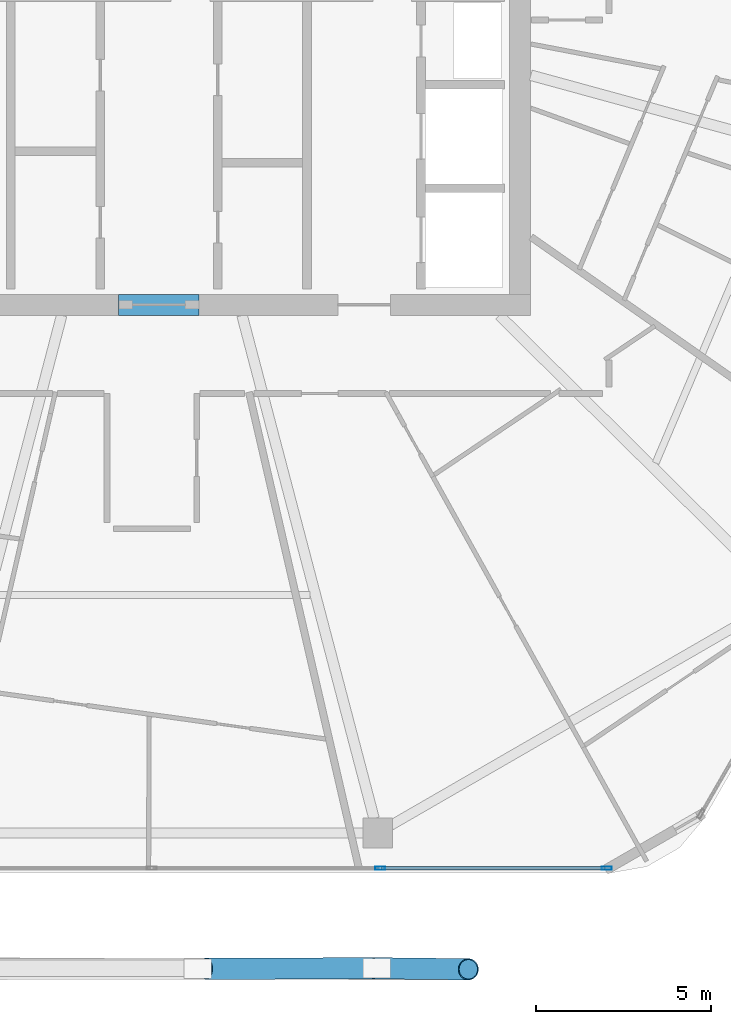
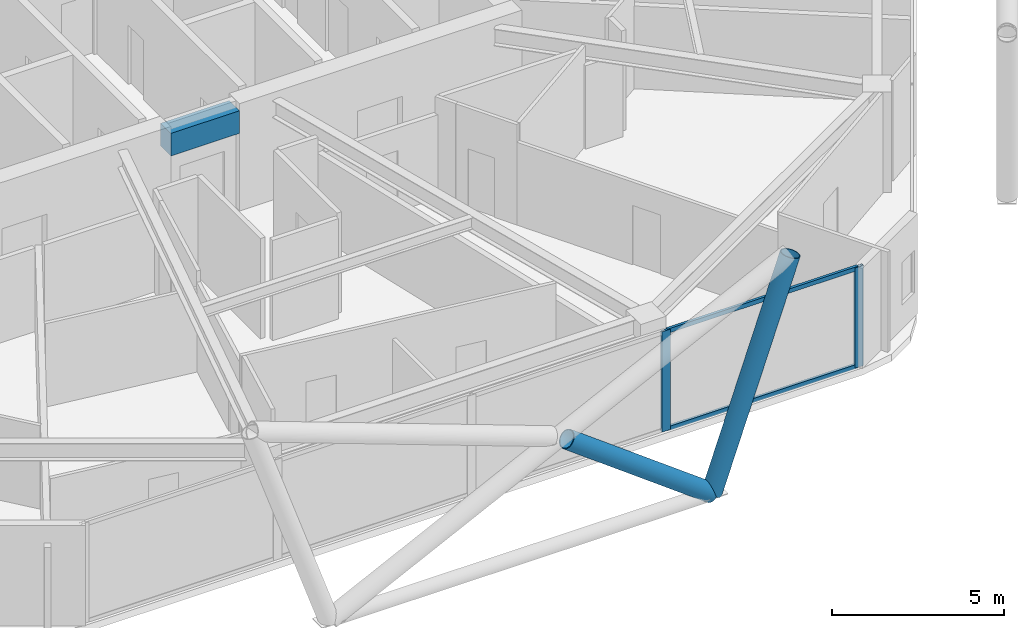
# One storey, part 7 of 28: 6 members, 1 beam, 1 element without a shape of its own.
"""IFC4 building model written with IfcOpenShell, lengths in metres."""

from ifc_helpers import new_model, si_unit, direction, frame, origin, origin_2d, place, context, subcontext, project, spatial, rectangle, hollow_rectangle, hollow_circle, extrude, material, material_profile, profile_set, type_object, element, aggregate, save


model = new_model("IFC4")

# Units and contexts
model_context = context("Model", 3, precision=1e-05, world=origin(), true_north=direction((0.0, 1.0)))
body_context = subcontext(model_context, "Body", "Model", "MODEL_VIEW")
ifc_project = project(units=[si_unit("LENGTHUNIT", "METRE"), si_unit("AREAUNIT", "SQUARE_METRE"), si_unit("VOLUMEUNIT", "CUBIC_METRE"), si_unit("PLANEANGLEUNIT", "RADIAN"), si_unit("MASSUNIT", "GRAM", prefix="KILO")], contexts=[model_context])

# Site, building, storey
site_placement = place(None, origin())
site = spatial("IfcSite", under=ifc_project, at=site_placement, CompositionType="ELEMENT")
building_placement = place(site_placement, origin())
building = spatial("IfcBuilding", under=site, at=building_placement, Name="Zuhravey Tower", CompositionType="ELEMENT")
storey_placement = place(building_placement, frame((0.0, 0.0, 284.39990234375)))
storey = spatial("IfcBuildingStorey", under=building, at=storey_placement, Name="L72", CompositionType="ELEMENT", Elevation=284.39990234375)

# Beam
ifc_material_1 = material(Name="Concrete C50/60", Category="concrete")
ifc_material_profile_1 = material_profile(ifc_material_1, rectangle(XDim=0.60009765625, YDim=0.800048828125, at=origin_2d()), Name="RC-600x800")
ifc_profile_set_1 = profile_set([ifc_material_profile_1], Name="Concrete C50/60")
beam_type = type_object("IfcBeamType", Name="Core Coupling Beam RC600x800", PredefinedType="LINTEL", material=ifc_profile_set_1)
beam_placement = place(storey_placement, frame((35.052001953125, 22.5, 3.150146484375), z_axis=(1.0, 0.0, 0.0), x_axis=(0.0, 1.0, 0.0)))
element("IfcBeam", 1, at=beam_placement, inside=storey, type_object=beam_type, Name="L72 CB2 BM-L72-CB-S", PredefinedType="LINTEL", context=body_context, shape_type="SweptSolid", body=[
    extrude(rectangle(XDim=0.60009765625, YDim=0.800048828125, at=origin_2d()), origin(), (0.0, 0.0, 1.0), 2.2958984375),
])

# Curtain wall, members
ifc_material_2 = material(Name="Thermally broken anodised aluminium", Category="aluminium")
curtain_wall_type = type_object("IfcCurtainWallType", Name="Zone 3-4 High-Rise Curtain Wall CW4", PredefinedType="NOTDEFINED", material=ifc_material_2)
curtain_wall_placement = place(storey_placement, origin())
curtain_wall = element("IfcCurtainWall", 2, at=curtain_wall_placement, inside=storey, type_object=curtain_wall_type, Name="L72 CW4 CW-L72-F5-1", PredefinedType="NOTDEFINED")
ifc_material_3 = material(Name="Anodised aluminium", Category="aluminium")
ifc_material_profile_2 = material_profile(ifc_material_3, hollow_rectangle(XDim=0.090087890625, YDim=0.284912109375, WallThickness=0.0048828125, at=origin_2d()), Name="ALU-RHS-90x285x5")
ifc_profile_set_2 = profile_set([ifc_material_profile_2], Name="Anodised aluminium")
member_type_1 = type_object("IfcMemberType", Name="Curtain-Wall Mullion 90x180", PredefinedType="MULLION", material=ifc_profile_set_2)
member_1_placement = place(storey_placement, frame((48.9677734375, 6.436279296875, 0.0), z_axis=(0.0, 0.0, 1.0), x_axis=(0.0, -1.0, 0.0)))
member_1 = element("IfcMember", 3, at=member_1_placement, type_object=member_type_1, Name="CW4 mullion 1", PredefinedType="MULLION", context=body_context, shape_type="SweptSolid", body=[
    extrude(hollow_rectangle(XDim=0.090087890625, YDim=0.284912109375, WallThickness=0.0048828125, at=origin_2d()), origin(), (0.0, 0.0, 1.0), 3.550048828125),
])
member_2_placement = place(storey_placement, frame((42.50634765625, 6.436279296875, 0.0), z_axis=(0.0, 0.0, 1.0), x_axis=(0.0, -1.0, 0.0)))
member_2 = element("IfcMember", 4, at=member_2_placement, type_object=member_type_1, Name="CW4 mullion 2", PredefinedType="MULLION", context=body_context, shape_type="SweptSolid", body=[
    extrude(hollow_rectangle(XDim=0.090087890625, YDim=0.284912109375, WallThickness=0.0048828125, at=origin_2d()), origin(), (0.0, 0.0, 1.0), 3.550048828125),
])
ifc_material_profile_3 = material_profile(ifc_material_3, hollow_rectangle(XDim=0.090087890625, YDim=0.14990234375, WallThickness=0.0048828125, at=origin_2d()), Name="ALU-RHS-90x150x5")
ifc_profile_set_3 = profile_set([ifc_material_profile_3], Name="Anodised aluminium")
member_type_2 = type_object("IfcMemberType", Name="Curtain-Wall Transom 90x150", PredefinedType="USERDEFINED", material=ifc_profile_set_3)
member_3_placement = place(storey_placement, frame((48.922607421875, 6.436279296875, 0.045166015625), z_axis=(-1.0, 0.0, 0.0), x_axis=(0.0, -1.0, 0.0)))
member_3 = element("IfcMember", 5, at=member_3_placement, type_object=member_type_2, Name="CW4 transom 1.1", ObjectType="TRANSOM", PredefinedType="USERDEFINED", context=body_context, shape_type="SweptSolid", body=[
    extrude(hollow_rectangle(XDim=0.090087890625, YDim=0.14990234375, WallThickness=0.0048828125, at=origin_2d()), origin(), (0.0, 0.0, 1.0), 6.371337890625),
])
member_4_placement = place(storey_placement, frame((48.922607421875, 6.436279296875, 3.505126953125), z_axis=(-1.0, 0.0, 0.0), x_axis=(0.0, -1.0, 0.0)))
member_4 = element("IfcMember", 6, at=member_4_placement, type_object=member_type_2, Name="CW4 transom 1.2", ObjectType="TRANSOM", PredefinedType="USERDEFINED", context=body_context, shape_type="SweptSolid", body=[
    extrude(hollow_rectangle(XDim=0.090087890625, YDim=0.14990234375, WallThickness=0.0048828125, at=origin_2d()), origin(), (0.0, 0.0, 1.0), 6.371337890625),
])
aggregate(curtain_wall, [member_1, member_2, member_3, member_4])

# Members
ifc_material_4 = material(Name="Steel SM355", Category="steel")
ifc_material_profile_4 = material_profile(ifc_material_4, hollow_circle(Radius=0.3046875, WallThickness=0.028076171875, at=origin_2d()), Name="CHS-609.6x28")
ifc_profile_set_4 = profile_set([ifc_material_profile_4], Name="Steel SM355")
member_type_3 = type_object("IfcMemberType", Name="Exoskeleton Zone 3 Diagrid CHS610x28", PredefinedType="BRACE", material=ifc_profile_set_4)
member_5_placement = place(storey_placement, frame((42.413818359375, 3.58642578125, -0.44580078125), z_axis=(0.326057972231, -0.003753053583, 0.945342326003), x_axis=(0.011509624999, 0.999933762072, 0.0)))
element("IfcMember", 7, at=member_5_placement, inside=storey, type_object=member_type_3, Name="L72 Face 5 Diagrid Brace 4", PredefinedType="BRACE", context=body_context, shape_type="SweptSolid", body=[
    extrude(hollow_circle(Radius=0.3046875, WallThickness=0.028076171875, at=origin_2d()), origin(), (0.0, 0.0, 1.0), 8.001220703125),
])
member_6_placement = place(storey_placement, frame((42.375, 3.586181640625, -0.439453125), z_axis=(-0.801731284335, -0.002351474816, 0.597680030021), x_axis=(0.002932983592, -0.999995698794, 0.0)))
element("IfcMember", 8, at=member_6_placement, inside=storey, type_object=member_type_3, Name="L72 Face 5 Split Diagrid Brace 3A", PredefinedType="BRACE", context=body_context, shape_type="SweptSolid", body=[
    extrude(hollow_circle(Radius=0.3046875, WallThickness=0.028076171875, at=origin_2d()), origin(), (0.0, 0.0, 1.0), 6.021728515625),
])

save(model, "model.ifc")
